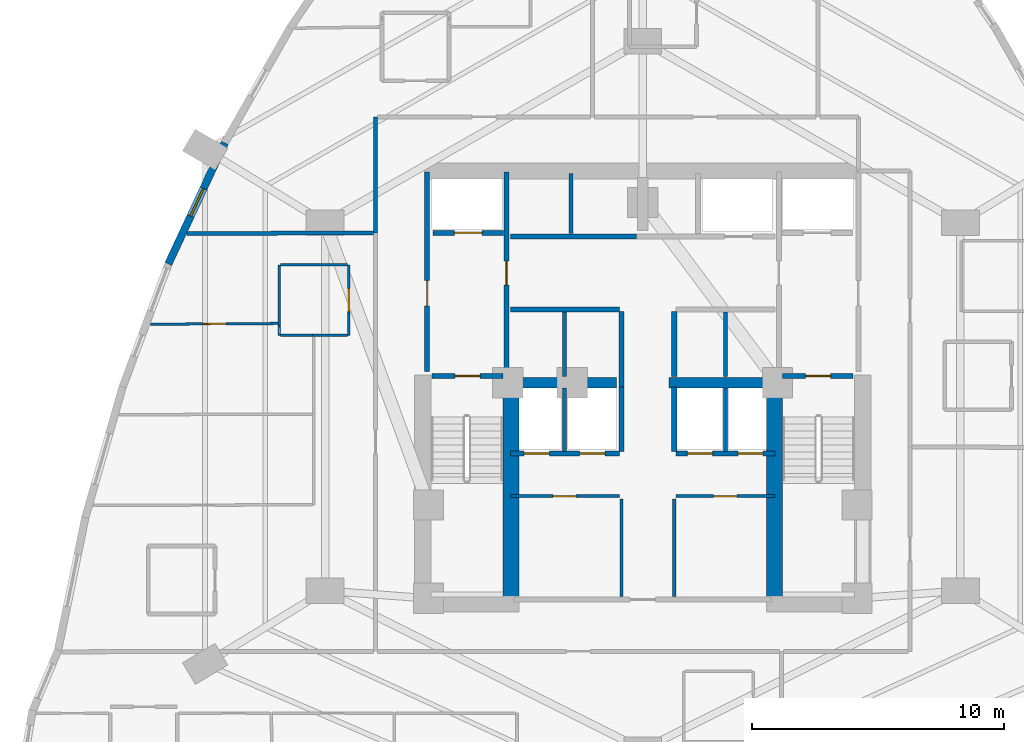
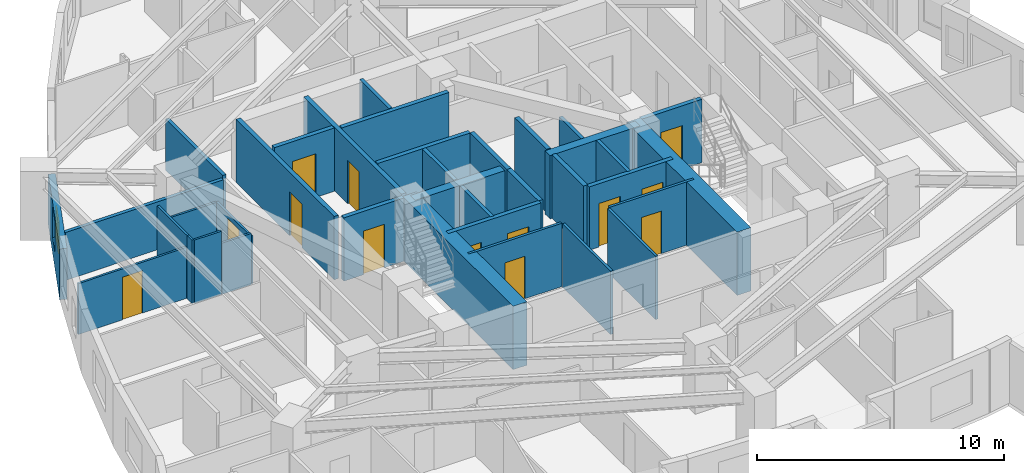
# One storey, part 7 of 12: 36 walls, 13 doors, 1 window, 14 openings.
"""IFC4 building model written with IfcOpenShell, lengths in metres."""

from ifc_helpers import new_model, si_unit, direction, frame, frame_2d, origin, place, context, subcontext, project, spatial, rectangle, extrude, material, layer, layer_set, type_object, element, fill, save


model = new_model("IFC4")

# Units and contexts
model_context = context("Model", 3, precision=1e-05, world=origin(), true_north=direction((0.0, 1.0)))
body_context = subcontext(model_context, "Body", "Model", "MODEL_VIEW")
ifc_project = project(units=[si_unit("LENGTHUNIT", "METRE"), si_unit("AREAUNIT", "SQUARE_METRE"), si_unit("VOLUMEUNIT", "CUBIC_METRE"), si_unit("PLANEANGLEUNIT", "RADIAN"), si_unit("MASSUNIT", "GRAM", prefix="KILO")], contexts=[model_context])

# Site, building, storey
site_placement = place(None, origin())
site = spatial("IfcSite", under=ifc_project, at=site_placement, CompositionType="ELEMENT")
building_placement = place(site_placement, origin())
building = spatial("IfcBuilding", under=site, at=building_placement, Name="Miruveldt Soraemaru", CompositionType="ELEMENT")
storey_placement = place(building_placement, frame((0.0, 0.0, 56.39990234375)))
storey = spatial("IfcBuildingStorey", under=building, at=storey_placement, Name="L15", CompositionType="ELEMENT", Elevation=56.39990234375)

# Walls
ifc_material_1 = material(Name="Concrete C70/85 (70 MPa)", Category="concrete")
ifc_layer_1 = layer(ifc_material_1, 0.5, Name="Concrete C70/85 (70 MPa)", Category="concrete")
ifc_layer_set_1 = layer_set([ifc_layer_1], Name="Concrete C70/85 (70 MPa)")
wall_type_1 = type_object("IfcWallType", Name="WALL-BW-500", PredefinedType="SHEAR", material=ifc_layer_set_1)
for number, where, z_axis, x_axis, name in (
    (1, (38.75, 44.050048828125, 0.0), (0.0, 0.0, 1.0), (1.0, 0.0, 0.0), "L15 Core Buttress Shear Wall BW"),
    (2, (45.050048828125, 44.050048828125, 0.0), (0.0, 0.0, 1.0), (1.0, 0.0, 0.0), "L15 Core Buttress Shear Wall BE"),
):
    element("IfcWall", number, at=place(storey_placement, frame(where, z_axis=z_axis, x_axis=x_axis)), inside=storey, type_object=wall_type_1, Name=name, PredefinedType="SHEAR", context=body_context, shape_type="SweptSolid", body=[
        extrude(rectangle(XDim=4.199951171875, YDim=0.39990234375, at=frame_2d((2.10009765625, 0.0))), origin(), (0.0, 0.0, 1.0), 3.125),
    ])
ifc_material_2 = material(Name="Concrete C80/95 (80 MPa)", Category="concrete")
ifc_layer_2 = layer(ifc_material_2, 0.64990234375, Name="Concrete C80/95 (80 MPa)", Category="concrete")
ifc_layer_set_2 = layer_set([ifc_layer_2], Name="Concrete C80/95 (80 MPa)")
wall_type_2 = type_object("IfcWallType", Name="WALL-CW-650", PredefinedType="SHEAR", material=ifc_layer_set_2)
for number, where, z_axis, x_axis, name in (
    (3, (38.77490234375, 35.39990234375, 0.0), (0.0, 0.0, 1.0), (0.0, 1.0, 0.0), "L15 Central Core Shear Wall SW-INT"),
    (4, (49.22509765625, 35.39990234375, 0.0), (0.0, 0.0, 1.0), (0.0, 1.0, 0.0), "L15 Central Core Shear Wall SE-INT"),
):
    element("IfcWall", number, at=place(storey_placement, frame(where, z_axis=z_axis, x_axis=x_axis)), inside=storey, type_object=wall_type_2, Name=name, PredefinedType="SHEAR", context=body_context, shape_type="SweptSolid", body=[
        extrude(rectangle(XDim=8.9501953125, YDim=0.64990234375, at=frame_2d((4.47509765625, 0.0))), origin(), (0.0, 0.0, 1.0), 3.125),
    ])

# Wall, opening, window
ifc_material_3 = material(Name="Precast concrete C45/55 (45 MPa)", Category="concrete")
ifc_layer_3 = layer(ifc_material_3, 0.300048828125, Name="Precast concrete C45/55 (45 MPa)", Category="concrete")
ifc_layer_set_3 = layer_set([ifc_layer_3], Name="Precast concrete C45/55 (45 MPa)")
wall_type_3 = type_object("IfcWallType", Name="WALL-EXT-PC300", PredefinedType="SOLIDWALL", material=ifc_layer_set_3)
wall_1_placement = place(storey_placement, frame((27.421630859375, 53.5712890625, 0.0), z_axis=(0.0, 0.0, 1.0), x_axis=(-0.422308159228, -0.906452325635, 0.0)))
wall_1 = element("IfcWall", 5, at=wall_1_placement, inside=storey, type_object=wall_type_3, Name="L15 Precast Concrete Facade Wall 11", PredefinedType="SOLIDWALL", context=body_context, shape_type="SweptSolid", body=[
    extrude(rectangle(XDim=5.302490234375, YDim=0.300048828125, at=frame_2d((2.6513671875, 0.0))), origin(), (0.0, 0.0, 1.0), 2.51318359375),
])
opening_1_placement = place(wall_1_placement, frame((2.001953125, 0.0, 0.780029296875)))
opening_1 = element("IfcOpeningElement", 6, at=opening_1_placement, cuts=wall_1, Name="Opening WN-4", PredefinedType="OPENING", context=body_context, shape_type="SweptSolid", body=[
    extrude(rectangle(XDim=1.199951171875, YDim=1.550048828125, at=frame_2d((0.60009765625, 0.77490234375))), frame((0.0, 0.16015625, 0.0), z_axis=(0.0, -1.0, 0.0), x_axis=(1.0, 0.0, 0.0)), (0.0, 0.0, 1.0), 0.320068359375),
])
ifc_material_4 = material(Name="Triple low-e insulated glazing", Category="glass")
window_type = type_object("IfcWindowType", Name="WIN-PUNCH-1200x1550", PartitioningType="SINGLE_PANEL", PredefinedType="WINDOW", material=ifc_material_4)
window_placement = place(opening_1_placement, origin())
window = element("IfcWindow", 7, at=window_placement, inside=storey, type_object=window_type, Name="L15 Punched Triple-Glazed Window 11.1", OverallHeight=1.550048828125, OverallWidth=1.199951171875, PartitioningType="SINGLE_PANEL", PredefinedType="WINDOW", context=body_context, shape_type="SweptSolid", body=[
    extrude(rectangle(XDim=1.199951171875, YDim=1.550048828125, at=frame_2d((0.60009765625, 0.77490234375))), frame((0.0, 0.030029296875, 0.0), z_axis=(0.0, -1.0, 0.0), x_axis=(1.0, 0.0, 0.0)), (0.0, 0.0, 1.0), 0.06005859375),
])
fill(opening_1, window)

# Wall, opening, door
ifc_material_5 = material(Name="Gypsum plasterboard lining", Category="gypsum")
ifc_layer_4 = layer(ifc_material_5, 0.10009765625, Name="Gypsum plasterboard lining", Category="gypsum")
ifc_layer_set_4 = layer_set([ifc_layer_4], Name="Gypsum plasterboard lining")
wall_type_4 = type_object("IfcWallType", Name="WALL-INT-P100", PredefinedType="PARTITIONING", material=ifc_layer_set_4)
wall_2_placement = place(storey_placement, frame((24.470947265625, 46.373046875, 0.0), z_axis=(0.0, 0.0, 1.0), x_axis=(0.999982418031, 0.005929892846, 0.0)))
wall_2 = element("IfcWall", 8, at=wall_2_placement, inside=storey, type_object=wall_type_4, Name="L15 Partition Wall 56", PredefinedType="PARTITIONING", context=body_context, shape_type="SweptSolid", body=[
    extrude(rectangle(XDim=5.06396484375, YDim=0.10009765625, at=frame_2d((2.531982421875, 0.0))), origin(), (0.0, 0.0, 1.0), 2.51318359375),
])
opening_2_placement = place(wall_2_placement, frame((2.072021484375, 0.0, 0.0)))
opening_2 = element("IfcOpeningElement", 9, at=opening_2_placement, cuts=wall_2, Name="Opening D3A", PredefinedType="OPENING", context=body_context, shape_type="SweptSolid", body=[
    extrude(rectangle(XDim=0.919921875, YDim=2.10009765625, at=frame_2d((0.4599609375, 1.050048828125))), frame((0.0, 0.06005859375, 0.0), z_axis=(0.0, -1.0, 0.0), x_axis=(1.0, 0.0, 0.0)), (0.0, 0.0, 1.0), 0.1201171875),
])
ifc_material_6 = material(Name="Anodised aluminium EN AW-6063 T6", Category="aluminium")
door_type_1 = type_object("IfcDoorType", Name="DOOR-INT-920", OperationType="NOTDEFINED", PredefinedType="DOOR", material=ifc_material_6)
door_1_placement = place(opening_2_placement, origin())
door_1 = element("IfcDoor", 10, at=door_1_placement, inside=storey, type_object=door_type_1, Name="L15 Unit 1504 BD2 Door", OperationType="SINGLE_SWING_LEFT", OverallHeight=2.10009765625, OverallWidth=0.919921875, PredefinedType="DOOR", context=body_context, shape_type="SweptSolid", body=[
    extrude(rectangle(XDim=0.919921875, YDim=2.10009765625, at=frame_2d((0.4599609375, 1.050048828125))), frame((0.0, 0.02490234375, 0.0), z_axis=(0.0, -1.0, 0.0), x_axis=(1.0, 0.0, 0.0)), (0.0, 0.0, 1.0), 0.050048828125),
])
fill(opening_2, door_1)

wall_3_placement = place(storey_placement, frame((32.3349609375, 45.929931640625, 0.0), z_axis=(0.0, 0.0, 1.0), x_axis=(0.0, 1.0, 0.0)))
wall_3 = element("IfcWall", 11, at=wall_3_placement, inside=storey, type_object=wall_type_4, Name="L15 Partition Wall 50", PredefinedType="PARTITIONING", context=body_context, shape_type="SweptSolid", body=[
    extrude(rectangle(XDim=2.800048828125, YDim=0.10009765625, at=frame_2d((1.39990234375, 0.0))), origin(), (0.0, 0.0, 1.0), 2.363037109375),
])
opening_3_placement = place(wall_3_placement, frame((0.93994140625, 0.0, 0.0)))
opening_3 = element("IfcOpeningElement", 12, at=opening_3_placement, cuts=wall_3, Name="Opening D3A", PredefinedType="OPENING", context=body_context, shape_type="SweptSolid", body=[
    extrude(rectangle(XDim=0.919921875, YDim=2.10009765625, at=frame_2d((0.4599609375, 1.050048828125))), frame((0.0, 0.06005859375, 0.0), z_axis=(0.0, -1.0, 0.0), x_axis=(1.0, 0.0, 0.0)), (0.0, 0.0, 1.0), 0.1201171875),
])
door_2_placement = place(opening_3_placement, origin())
door_2 = element("IfcDoor", 13, at=door_2_placement, inside=storey, type_object=door_type_1, Name="L15 Unit 1504 KIT Door", OperationType="SINGLE_SWING_LEFT", OverallHeight=2.10009765625, OverallWidth=0.919921875, PredefinedType="DOOR", context=body_context, shape_type="SweptSolid", body=[
    extrude(rectangle(XDim=0.919921875, YDim=2.10009765625, at=frame_2d((0.4599609375, 1.050048828125))), frame((0.0, 0.02490234375, 0.0), z_axis=(0.0, -1.0, 0.0), x_axis=(1.0, 0.0, 0.0)), (0.0, 0.0, 1.0), 0.050048828125),
])
fill(opening_3, door_2)

# Walls
wall_4_placement = place(storey_placement, frame((32.284912109375, 48.72998046875, 0.0), z_axis=(0.0, 0.0, 1.0), x_axis=(-1.0, 0.0, 0.0)))
element("IfcWall", 14, at=wall_4_placement, inside=storey, type_object=wall_type_4, Name="L15 Partition Wall 51", PredefinedType="PARTITIONING", context=body_context, shape_type="SweptSolid", body=[
    extrude(rectangle(XDim=2.64990234375, YDim=0.10009765625, at=frame_2d((1.324951171875, 0.0))), origin(), (0.0, 0.0, 1.0), 2.363037109375),
])
wall_5_placement = place(storey_placement, frame((29.5849609375, 48.72998046875, 0.0), z_axis=(0.0, 0.0, 1.0), x_axis=(0.0, -1.0, 0.0)))
element("IfcWall", 15, at=wall_5_placement, inside=storey, type_object=wall_type_4, Name="L15 Partition Wall 52", PredefinedType="PARTITIONING", context=body_context, shape_type="SweptSolid", body=[
    extrude(rectangle(XDim=2.4169921875, YDim=0.10009765625, at=frame_2d((1.20849609375, 0.0))), origin(), (0.0, 0.0, 1.0), 3.125),
])
wall_6_placement = place(storey_placement, frame((30.909912109375, 45.929931640625, 0.0), z_axis=(0.0, 0.0, 1.0), x_axis=(1.0, 0.0, 0.0)))
element("IfcWall", 16, at=wall_6_placement, inside=storey, type_object=wall_type_4, Name="L15 Partition Wall 53", PredefinedType="PARTITIONING", context=body_context, shape_type="SweptSolid", body=[
    extrude(rectangle(XDim=1.375, YDim=0.10009765625, at=frame_2d((0.6875, 0.0))), origin(), (0.0, 0.0, 1.0), 2.525146484375),
])
wall_7_placement = place(storey_placement, frame((29.635009765625, 45.929931640625, 0.0), z_axis=(0.0, 0.0, 1.0), x_axis=(1.0, 0.0, 0.0)))
element("IfcWall", 17, at=wall_7_placement, inside=storey, type_object=wall_type_4, Name="L15 Partition Wall 60", PredefinedType="PARTITIONING", context=body_context, shape_type="SweptSolid", body=[
    extrude(rectangle(XDim=1.264892578125, YDim=0.10009765625, at=frame_2d((0.63232421875, 0.0))), origin(), (0.0, 0.0, 1.0), 3.125),
])
wall_8_placement = place(storey_placement, frame((29.5849609375, 46.31298828125, 0.0), z_axis=(0.0, 0.0, 1.0), x_axis=(0.0, -1.0, 0.0)))
element("IfcWall", 18, at=wall_8_placement, inside=storey, type_object=wall_type_4, Name="L15 Partition Wall 59", PredefinedType="PARTITIONING", context=body_context, shape_type="SweptSolid", body=[
    extrude(rectangle(XDim=0.383056640625, YDim=0.10009765625, at=frame_2d((0.19140625, 0.0))), origin(), (0.0, 0.0, 1.0), 3.125),
])

# Wall, opening, door
ifc_layer_5 = layer(ifc_material_5, 0.1201171875, Name="Gypsum plasterboard lining", Category="gypsum")
ifc_layer_set_5 = layer_set([ifc_layer_5], Name="Gypsum plasterboard lining")
wall_type_5 = type_object("IfcWallType", Name="WALL-INT-P120", PredefinedType="PARTITIONING", material=ifc_layer_set_5)
wall_9_placement = place(storey_placement, frame((38.75, 39.550048828125, 0.0), z_axis=(0.0, 0.0, 1.0), x_axis=(1.0, 0.0, 0.0)))
wall_9 = element("IfcWall", 19, at=wall_9_placement, inside=storey, type_object=wall_type_5, Name="L15 Core Compartment Wall CSW-N", PredefinedType="PARTITIONING", context=body_context, shape_type="SweptSolid", body=[
    extrude(rectangle(XDim=4.330078125, YDim=0.1201171875, at=frame_2d((2.1650390625, 0.0))), origin(), (0.0, 0.0, 1.0), 3.125),
])
opening_4_placement = place(wall_9_placement, frame((1.68994140625, 0.0, 0.0)))
opening_4 = element("IfcOpeningElement", 20, at=opening_4_placement, cuts=wall_9, Name="Opening D3A", PredefinedType="OPENING", context=body_context, shape_type="SweptSolid", body=[
    extrude(rectangle(XDim=0.919921875, YDim=2.10009765625, at=frame_2d((0.4599609375, 1.050048828125))), frame((0.0, 0.070068359375, 0.0), z_axis=(0.0, -1.0, 0.0), x_axis=(1.0, 0.0, 0.0)), (0.0, 0.0, 1.0), 0.14013671875),
])
door_3_placement = place(opening_4_placement, origin())
door_3 = element("IfcDoor", 21, at=door_3_placement, inside=storey, type_object=door_type_1, Name="L15 Fire Door", OperationType="SINGLE_SWING_LEFT", OverallHeight=2.10009765625, OverallWidth=0.919921875, PredefinedType="DOOR", context=body_context, shape_type="SweptSolid", body=[
    extrude(rectangle(XDim=0.919921875, YDim=2.10009765625, at=frame_2d((0.4599609375, 1.050048828125))), frame((0.0, 0.02490234375, 0.0), z_axis=(0.0, -1.0, 0.0), x_axis=(1.0, 0.0, 0.0)), (0.0, 0.0, 1.0), 0.050048828125),
])
fill(opening_4, door_3)

wall_10_placement = place(storey_placement, frame((45.320068359375, 39.550048828125, 0.0), z_axis=(0.0, 0.0, 1.0), x_axis=(1.0, 0.0, 0.0)))
wall_10 = element("IfcWall", 22, at=wall_10_placement, inside=storey, type_object=wall_type_5, Name="L15 Core Compartment Wall CSE-N", PredefinedType="PARTITIONING", context=body_context, shape_type="SweptSolid", body=[
    extrude(rectangle(XDim=3.929931640625, YDim=0.1201171875, at=frame_2d((1.96484375, 0.0))), origin(), (0.0, 0.0, 1.0), 3.125),
])
opening_5_placement = place(wall_10_placement, frame((1.489990234375, 0.0, 0.0)))
opening_5 = element("IfcOpeningElement", 23, at=opening_5_placement, cuts=wall_10, Name="Opening D3A", PredefinedType="OPENING", context=body_context, shape_type="SweptSolid", body=[
    extrude(rectangle(XDim=0.919921875, YDim=2.10009765625, at=frame_2d((0.4599609375, 1.050048828125))), frame((0.0, 0.070068359375, 0.0), z_axis=(0.0, -1.0, 0.0), x_axis=(1.0, 0.0, 0.0)), (0.0, 0.0, 1.0), 0.14013671875),
])
door_4_placement = place(opening_5_placement, origin())
door_4 = element("IfcDoor", 24, at=door_4_placement, inside=storey, type_object=door_type_1, Name="L15 Fire Door", OperationType="SINGLE_SWING_LEFT", OverallHeight=2.10009765625, OverallWidth=0.919921875, PredefinedType="DOOR", context=body_context, shape_type="SweptSolid", body=[
    extrude(rectangle(XDim=0.919921875, YDim=2.10009765625, at=frame_2d((0.4599609375, 1.050048828125))), frame((0.0, 0.02490234375, 0.0), z_axis=(0.0, -1.0, 0.0), x_axis=(1.0, 0.0, 0.0)), (0.0, 0.0, 1.0), 0.050048828125),
])
fill(opening_5, door_4)

# Walls
for number, where, z_axis, x_axis, name in (
    (25, (43.14990234375, 35.580078125, 0.0), (0.0, 0.0, 1.0), (0.0, 1.0, 0.0), "L15 Core Compartment Wall SP-WS"),
    (26, (45.25, 35.580078125, 0.0), (0.0, 0.0, 1.0), (0.0, 1.0, 0.0), "L15 Core Compartment Wall SP-ES"),
):
    element("IfcWall", number, at=place(storey_placement, frame(where, z_axis=z_axis, x_axis=x_axis)), inside=storey, type_object=wall_type_5, Name=name, PredefinedType="PARTITIONING", context=body_context, shape_type="SweptSolid", body=[
        extrude(rectangle(XDim=3.869873046875, YDim=0.1201171875, at=frame_2d((1.93505859375, 0.0))), origin(), (0.0, 0.0, 1.0), 3.125),
    ])
ifc_material_7 = material(Name="Concrete C40/50 (40 MPa)", Category="concrete")
ifc_layer_6 = layer(ifc_material_7, 0.159912109375, Name="Concrete C40/50 (40 MPa)", Category="concrete")
ifc_layer_set_6 = layer_set([ifc_layer_6], Name="Concrete C40/50 (40 MPa)")
wall_type_6 = type_object("IfcWallType", Name="WALL-INT-RC160", PredefinedType="SOLIDWALL", material=ifc_layer_set_6)
wall_11_placement = place(storey_placement, frame((25.924072265625, 49.965087890625, 0.0), z_axis=(0.0, 0.0, 1.0), x_axis=(0.999988849499, 0.004722380551, 0.0)))
element("IfcWall", 27, at=wall_11_placement, inside=storey, type_object=wall_type_6, Name="L15 Partition Wall 24", PredefinedType="SOLIDWALL", context=body_context, shape_type="SweptSolid", body=[
    extrude(rectangle(XDim=7.392822265625, YDim=0.159912109375, at=frame_2d((3.6962890625, 0.0))), origin(), (0.0, 0.0, 1.0), 2.363037109375),
])
wall_12_placement = place(storey_placement, frame((33.39990234375, 54.60009765625, 0.0), z_axis=(0.0, 0.0, 1.0), x_axis=(0.0, -1.0, 0.0)))
element("IfcWall", 28, at=wall_12_placement, inside=storey, type_object=wall_type_6, Name="L15 Partition Wall 2", PredefinedType="SOLIDWALL", context=body_context, shape_type="SweptSolid", body=[
    extrude(rectangle(XDim=4.60009765625, YDim=0.159912109375, at=frame_2d((2.300048828125, 0.0))), origin(), (0.0, 0.0, 1.0), 2.525146484375),
])
wall_13_placement = place(storey_placement, frame((40.89990234375, 44.300048828125, 0.0), z_axis=(0.0, 0.0, 1.0), x_axis=(0.0, 1.0, 0.0)))
element("IfcWall", 29, at=wall_13_placement, inside=storey, type_object=wall_type_6, Name="L15 Core Compartment Wall PLM-DW", PredefinedType="SOLIDWALL", context=body_context, shape_type="SweptSolid", body=[
    extrude(rectangle(XDim=2.550048828125, YDim=0.159912109375, at=frame_2d((1.27490234375, 0.0))), origin(), (0.0, 0.0, 1.0), 3.125),
])
wall_14_placement = place(storey_placement, frame((47.280029296875, 44.300048828125, 0.0), z_axis=(0.0, 0.0, 1.0), x_axis=(0.0, 1.0, 0.0)))
element("IfcWall", 30, at=wall_14_placement, inside=storey, type_object=wall_type_6, Name="L15 Core Compartment Wall PLM-DE", PredefinedType="SOLIDWALL", context=body_context, shape_type="SweptSolid", body=[
    extrude(rectangle(XDim=2.550048828125, YDim=0.159912109375, at=frame_2d((1.27490234375, 0.0))), origin(), (0.0, 0.0, 1.0), 2.463134765625),
])
for number, where, z_axis, x_axis, name in (
    (31, (40.89990234375, 41.320068359375, 0.0), (0.0, 0.0, 1.0), (0.0, 1.0, 0.0), "L15 Core Compartment Wall PLL-DW"),
    (32, (47.280029296875, 41.320068359375, 0.0), (0.0, 0.0, 1.0), (0.0, 1.0, 0.0), "L15 Core Compartment Wall PLL-DE"),
):
    element("IfcWall", number, at=place(storey_placement, frame(where, z_axis=z_axis, x_axis=x_axis)), inside=storey, type_object=wall_type_6, Name=name, PredefinedType="SOLIDWALL", context=body_context, shape_type="SweptSolid", body=[
        extrude(rectangle(XDim=2.530029296875, YDim=0.159912109375, at=frame_2d((1.26513671875, 0.0))), origin(), (0.0, 0.0, 1.0), 3.125),
    ])
wall_15_placement = place(storey_placement, frame((41.14990234375, 49.97998046875, 0.0), z_axis=(0.0, 0.0, 1.0), x_axis=(0.0, 1.0, 0.0)))
element("IfcWall", 33, at=wall_15_placement, inside=storey, type_object=wall_type_6, Name="L15 Core Compartment Wall PLH-DIV1", PredefinedType="SOLIDWALL", context=body_context, shape_type="SweptSolid", body=[
    extrude(rectangle(XDim=2.3701171875, YDim=0.159912109375, at=frame_2d((1.18505859375, 0.0))), origin(), (0.0, 0.0, 1.0), 3.125),
])

# Wall, opening, door
ifc_layer_7 = layer(ifc_material_7, 0.199951171875, Name="Concrete C40/50 (40 MPa)", Category="concrete")
ifc_layer_set_7 = layer_set([ifc_layer_7], Name="Concrete C40/50 (40 MPa)")
wall_type_7 = type_object("IfcWallType", Name="WALL-INT-RC200", PredefinedType="SOLIDWALL", material=ifc_layer_set_7)
wall_16_placement = place(storey_placement, frame((35.449951171875, 44.5, 0.0), z_axis=(0.0, 0.0, 1.0), x_axis=(0.0, 1.0, 0.0)))
wall_16 = element("IfcWall", 34, at=wall_16_placement, inside=storey, type_object=wall_type_7, Name="L15 Core Compartment Wall FFW-OUT", PredefinedType="SOLIDWALL", context=body_context, shape_type="SweptSolid", body=[
    extrude(rectangle(XDim=7.919921875, YDim=0.199951171875, at=frame_2d((3.9599609375, 0.0))), origin(), (0.0, 0.0, 1.0), 3.125),
])
opening_6_placement = place(wall_16_placement, frame((2.60009765625, 0.0, 0.0)))
opening_6 = element("IfcOpeningElement", 35, at=opening_6_placement, cuts=wall_16, Name="Opening FD1", PredefinedType="OPENING", context=body_context, shape_type="SweptSolid", body=[
    extrude(rectangle(XDim=1.0, YDim=2.14990234375, at=frame_2d((0.5, 1.074951171875))), frame((0.0, 0.10986328125, 0.0), z_axis=(0.0, -1.0, 0.0), x_axis=(1.0, 0.0, 0.0)), (0.0, 0.0, 1.0), 0.219970703125),
])
door_type_2 = type_object("IfcDoorType", Name="DOOR-FD1-1000", OperationType="NOTDEFINED", PredefinedType="DOOR", material=ifc_material_6)
door_5_placement = place(opening_6_placement, origin())
door_5 = element("IfcDoor", 36, at=door_5_placement, inside=storey, type_object=door_type_2, Name="L15 West Firefighting Lobby Exit Door", OperationType="SINGLE_SWING_LEFT", OverallHeight=2.14990234375, OverallWidth=1.0, PredefinedType="DOOR", context=body_context, shape_type="SweptSolid", body=[
    extrude(rectangle(XDim=1.0, YDim=2.14990234375, at=frame_2d((0.5, 1.074951171875))), frame((0.0, 0.02490234375, 0.0), z_axis=(0.0, -1.0, 0.0), x_axis=(1.0, 0.0, 0.0)), (0.0, 0.0, 1.0), 0.050048828125),
])
fill(opening_6, door_5)

wall_17_placement = place(storey_placement, frame((38.60009765625, 44.5, 0.0), z_axis=(0.0, 0.0, 1.0), x_axis=(0.0, 1.0, 0.0)))
wall_17 = element("IfcWall", 37, at=wall_17_placement, inside=storey, type_object=wall_type_7, Name="L15 Core Compartment Wall FFW-IN", PredefinedType="SOLIDWALL", context=body_context, shape_type="SweptSolid", body=[
    extrude(rectangle(XDim=7.919921875, YDim=0.199951171875, at=frame_2d((3.9599609375, 0.0))), origin(), (0.0, 0.0, 1.0), 3.125),
])
opening_7_placement = place(wall_17_placement, frame((3.425048828125, 0.0, 0.0)))
opening_7 = element("IfcOpeningElement", 38, at=opening_7_placement, cuts=wall_17, Name="Opening FD2", PredefinedType="OPENING", context=body_context, shape_type="SweptSolid", body=[
    extrude(rectangle(XDim=0.949951171875, YDim=2.14990234375, at=frame_2d((0.47509765625, 1.074951171875))), frame((0.0, 0.10986328125, 0.0), z_axis=(0.0, -1.0, 0.0), x_axis=(1.0, 0.0, 0.0)), (0.0, 0.0, 1.0), 0.219970703125),
])
door_type_3 = type_object("IfcDoorType", Name="DOOR-FD2-950", OperationType="NOTDEFINED", PredefinedType="DOOR", material=ifc_material_6)
door_6_placement = place(opening_7_placement, frame((0.949951171875, 0.0, 0.0), z_axis=(0.0, 0.0, 1.0), x_axis=(-1.0, 0.0, 0.0)))
door_6 = element("IfcDoor", 39, at=door_6_placement, inside=storey, type_object=door_type_3, Name="L15 Lift Lobby to West Fire Lobby Door", OperationType="SINGLE_SWING_RIGHT", OverallHeight=2.14990234375, OverallWidth=0.949951171875, PredefinedType="DOOR", context=body_context, shape_type="SweptSolid", body=[
    extrude(rectangle(XDim=0.949951171875, YDim=2.14990234375, at=frame_2d((0.47509765625, 1.074951171875))), frame((0.0, 0.02490234375, 0.0), z_axis=(0.0, -1.0, 0.0), x_axis=(1.0, 0.0, 0.0)), (0.0, 0.0, 1.0), 0.050048828125),
])
fill(opening_7, door_6)

# Wall, openings, doors
wall_18_placement = place(storey_placement, frame((38.75, 41.25, 0.0), z_axis=(0.0, 0.0, 1.0), x_axis=(1.0, 0.0, 0.0)))
wall_18 = element("IfcWall", 40, at=wall_18_placement, inside=storey, type_object=wall_type_7, Name="L15 Core Compartment Wall LBW-S", PredefinedType="SOLIDWALL", context=body_context, shape_type="SweptSolid", body=[
    extrude(rectangle(XDim=4.330078125, YDim=0.199951171875, at=frame_2d((2.1650390625, 0.0))), origin(), (0.0, 0.0, 1.0), 3.125),
])
opening_8_placement = place(wall_18_placement, frame((0.550048828125, 0.0, 0.0)))
opening_8 = element("IfcOpeningElement", 41, at=opening_8_placement, cuts=wall_18, Name="Opening LD1B", PredefinedType="OPENING", context=body_context, shape_type="SweptSolid", body=[
    extrude(rectangle(XDim=1.0, YDim=2.14990234375, at=frame_2d((0.5, 1.074951171875))), frame((0.0, 0.10986328125, 0.0), z_axis=(0.0, -1.0, 0.0), x_axis=(1.0, 0.0, 0.0)), (0.0, 0.0, 1.0), 0.219970703125),
])
opening_9_placement = place(wall_18_placement, frame((2.75, 0.0, 0.0)))
opening_9 = element("IfcOpeningElement", 42, at=opening_9_placement, cuts=wall_18, Name="Opening LD1B", PredefinedType="OPENING", context=body_context, shape_type="SweptSolid", body=[
    extrude(rectangle(XDim=1.0, YDim=2.14990234375, at=frame_2d((0.5, 1.074951171875))), frame((0.0, 0.10986328125, 0.0), z_axis=(0.0, -1.0, 0.0), x_axis=(1.0, 0.0, 0.0)), (0.0, 0.0, 1.0), 0.219970703125),
])
door_type_4 = type_object("IfcDoorType", Name="DOOR-LD1-1000", OperationType="SLIDING_TO_LEFT", PredefinedType="DOOR", material=ifc_material_6)
door_7_placement = place(opening_8_placement, frame((1.0, 0.0, 0.0), z_axis=(0.0, 0.0, 1.0), x_axis=(-1.0, 0.0, 0.0)))
door_7 = element("IfcDoor", 43, at=door_7_placement, inside=storey, type_object=door_type_4, Name="L15 PL-L1 Landing Door", OperationType="SLIDING_TO_LEFT", OverallHeight=2.14990234375, OverallWidth=1.0, PredefinedType="DOOR", context=body_context, shape_type="SweptSolid", body=[
    extrude(rectangle(XDim=1.0, YDim=2.14990234375, at=frame_2d((0.5, 1.074951171875))), frame((0.0, 0.02490234375, 0.0), z_axis=(0.0, -1.0, 0.0), x_axis=(1.0, 0.0, 0.0)), (0.0, 0.0, 1.0), 0.050048828125),
])
fill(opening_8, door_7)
door_8_placement = place(opening_9_placement, frame((1.0, 0.0, 0.0), z_axis=(0.0, 0.0, 1.0), x_axis=(-1.0, 0.0, 0.0)))
door_8 = element("IfcDoor", 44, at=door_8_placement, inside=storey, type_object=door_type_4, Name="L15 PL-L2 Landing Door", OperationType="SLIDING_TO_LEFT", OverallHeight=2.14990234375, OverallWidth=1.0, PredefinedType="DOOR", context=body_context, shape_type="SweptSolid", body=[
    extrude(rectangle(XDim=1.0, YDim=2.14990234375, at=frame_2d((0.5, 1.074951171875))), frame((0.0, 0.02490234375, 0.0), z_axis=(0.0, -1.0, 0.0), x_axis=(1.0, 0.0, 0.0)), (0.0, 0.0, 1.0), 0.050048828125),
])
fill(opening_9, door_8)

wall_19_placement = place(storey_placement, frame((45.320068359375, 41.25, 0.0), z_axis=(0.0, 0.0, 1.0), x_axis=(1.0, 0.0, 0.0)))
wall_19 = element("IfcWall", 45, at=wall_19_placement, inside=storey, type_object=wall_type_7, Name="L15 Core Compartment Wall LBE-S", PredefinedType="SOLIDWALL", context=body_context, shape_type="SweptSolid", body=[
    extrude(rectangle(XDim=3.929931640625, YDim=0.199951171875, at=frame_2d((1.96484375, 0.0))), origin(), (0.0, 0.0, 1.0), 3.125),
])
opening_10_placement = place(wall_19_placement, frame((0.449951171875, 0.0, 0.0)))
opening_10 = element("IfcOpeningElement", 46, at=opening_10_placement, cuts=wall_19, Name="Opening LD1B", PredefinedType="OPENING", context=body_context, shape_type="SweptSolid", body=[
    extrude(rectangle(XDim=1.0, YDim=2.14990234375, at=frame_2d((0.5, 1.074951171875))), frame((0.0, 0.10986328125, 0.0), z_axis=(0.0, -1.0, 0.0), x_axis=(1.0, 0.0, 0.0)), (0.0, 0.0, 1.0), 0.219970703125),
])
opening_11_placement = place(wall_19_placement, frame((2.449951171875, 0.0, 0.0)))
opening_11 = element("IfcOpeningElement", 47, at=opening_11_placement, cuts=wall_19, Name="Opening LD1B", PredefinedType="OPENING", context=body_context, shape_type="SweptSolid", body=[
    extrude(rectangle(XDim=1.0, YDim=2.14990234375, at=frame_2d((0.5, 1.074951171875))), frame((0.0, 0.10986328125, 0.0), z_axis=(0.0, -1.0, 0.0), x_axis=(1.0, 0.0, 0.0)), (0.0, 0.0, 1.0), 0.219970703125),
])
door_9_placement = place(opening_10_placement, frame((1.0, 0.0, 0.0), z_axis=(0.0, 0.0, 1.0), x_axis=(-1.0, 0.0, 0.0)))
door_9 = element("IfcDoor", 48, at=door_9_placement, inside=storey, type_object=door_type_4, Name="L15 PL-L3 Landing Door", OperationType="SLIDING_TO_LEFT", OverallHeight=2.14990234375, OverallWidth=1.0, PredefinedType="DOOR", context=body_context, shape_type="SweptSolid", body=[
    extrude(rectangle(XDim=1.0, YDim=2.14990234375, at=frame_2d((0.5, 1.074951171875))), frame((0.0, 0.02490234375, 0.0), z_axis=(0.0, -1.0, 0.0), x_axis=(1.0, 0.0, 0.0)), (0.0, 0.0, 1.0), 0.050048828125),
])
fill(opening_10, door_9)
door_10_placement = place(opening_11_placement, frame((1.0, 0.0, 0.0), z_axis=(0.0, 0.0, 1.0), x_axis=(-1.0, 0.0, 0.0)))
door_10 = element("IfcDoor", 49, at=door_10_placement, inside=storey, type_object=door_type_4, Name="L15 PL-L4 Landing Door", OperationType="SLIDING_TO_LEFT", OverallHeight=2.14990234375, OverallWidth=1.0, PredefinedType="DOOR", context=body_context, shape_type="SweptSolid", body=[
    extrude(rectangle(XDim=1.0, YDim=2.14990234375, at=frame_2d((0.5, 1.074951171875))), frame((0.0, 0.02490234375, 0.0), z_axis=(0.0, -1.0, 0.0), x_axis=(1.0, 0.0, 0.0)), (0.0, 0.0, 1.0), 0.050048828125),
])
fill(opening_11, door_10)

# Wall, opening, door
wall_20_placement = place(storey_placement, frame((35.64990234375, 44.320068359375, 0.0), z_axis=(0.0, 0.0, 1.0), x_axis=(1.0, 0.0, 0.0)))
wall_20 = element("IfcWall", 50, at=wall_20_placement, inside=storey, type_object=wall_type_7, Name="L15 Core Compartment Wall ST1-N", PredefinedType="SOLIDWALL", context=body_context, shape_type="SweptSolid", body=[
    extrude(rectangle(XDim=2.800048828125, YDim=0.199951171875, at=frame_2d((1.39990234375, 0.0))), origin(), (0.0, 0.0, 1.0), 3.125),
])
opening_12_placement = place(wall_20_placement, frame((0.89990234375, 0.0, 0.0)))
opening_12 = element("IfcOpeningElement", 51, at=opening_12_placement, cuts=wall_20, Name="Opening FD1", PredefinedType="OPENING", context=body_context, shape_type="SweptSolid", body=[
    extrude(rectangle(XDim=1.0, YDim=2.14990234375, at=frame_2d((0.5, 1.074951171875))), frame((0.0, 0.10986328125, 0.0), z_axis=(0.0, -1.0, 0.0), x_axis=(1.0, 0.0, 0.0)), (0.0, 0.0, 1.0), 0.219970703125),
])
door_11_placement = place(opening_12_placement, frame((1.0, 0.0, 0.0), z_axis=(0.0, 0.0, 1.0), x_axis=(-1.0, 0.0, 0.0)))
door_11 = element("IfcDoor", 52, at=door_11_placement, inside=storey, type_object=door_type_2, Name="L15 Stair ST-1 Fire Door", OperationType="SINGLE_SWING_LEFT", OverallHeight=2.14990234375, OverallWidth=1.0, PredefinedType="DOOR", context=body_context, shape_type="SweptSolid", body=[
    extrude(rectangle(XDim=1.0, YDim=2.14990234375, at=frame_2d((0.5, 1.074951171875))), frame((0.0, 0.02490234375, 0.0), z_axis=(0.0, -1.0, 0.0), x_axis=(1.0, 0.0, 0.0)), (0.0, 0.0, 1.0), 0.050048828125),
])
fill(opening_12, door_11)

wall_21_placement = place(storey_placement, frame((49.550048828125, 44.320068359375, 0.0), z_axis=(0.0, 0.0, 1.0), x_axis=(1.0, 0.0, 0.0)))
wall_21 = element("IfcWall", 53, at=wall_21_placement, inside=storey, type_object=wall_type_7, Name="L15 Core Compartment Wall ST2-N", PredefinedType="SOLIDWALL", context=body_context, shape_type="SweptSolid", body=[
    extrude(rectangle(XDim=2.800048828125, YDim=0.199951171875, at=frame_2d((1.39990234375, 0.0))), origin(), (0.0, 0.0, 1.0), 3.125),
])
opening_13_placement = place(wall_21_placement, frame((0.89990234375, 0.0, 0.0)))
opening_13 = element("IfcOpeningElement", 54, at=opening_13_placement, cuts=wall_21, Name="Opening FD1", PredefinedType="OPENING", context=body_context, shape_type="SweptSolid", body=[
    extrude(rectangle(XDim=1.0, YDim=2.14990234375, at=frame_2d((0.5, 1.074951171875))), frame((0.0, 0.10986328125, 0.0), z_axis=(0.0, -1.0, 0.0), x_axis=(1.0, 0.0, 0.0)), (0.0, 0.0, 1.0), 0.219970703125),
])
door_12_placement = place(opening_13_placement, frame((1.0, 0.0, 0.0), z_axis=(0.0, 0.0, 1.0), x_axis=(-1.0, 0.0, 0.0)))
door_12 = element("IfcDoor", 55, at=door_12_placement, inside=storey, type_object=door_type_2, Name="L15 Stair ST-2 Fire Door", OperationType="SINGLE_SWING_RIGHT", OverallHeight=2.14990234375, OverallWidth=1.0, PredefinedType="DOOR", context=body_context, shape_type="SweptSolid", body=[
    extrude(rectangle(XDim=1.0, YDim=2.14990234375, at=frame_2d((0.5, 1.074951171875))), frame((0.0, 0.02490234375, 0.0), z_axis=(0.0, -1.0, 0.0), x_axis=(1.0, 0.0, 0.0)), (0.0, 0.0, 1.0), 0.050048828125),
])
fill(opening_13, door_12)

wall_22_placement = place(storey_placement, frame((35.679931640625, 50.0, 0.0), z_axis=(0.0, 0.0, 1.0), x_axis=(1.0, 0.0, 0.0)))
wall_22 = element("IfcWall", 56, at=wall_22_placement, inside=storey, type_object=wall_type_7, Name="L15 Core Compartment Wall FFL1-S", PredefinedType="SOLIDWALL", context=body_context, shape_type="SweptSolid", body=[
    extrude(rectangle(XDim=2.800048828125, YDim=0.199951171875, at=frame_2d((1.39990234375, 0.0))), origin(), (0.0, 0.0, 1.0), 3.125),
])
opening_14_placement = place(wall_22_placement, frame((0.85009765625, 0.0, 0.0)))
opening_14 = element("IfcOpeningElement", 57, at=opening_14_placement, cuts=wall_22, Name="Opening LD2", PredefinedType="OPENING", context=body_context, shape_type="SweptSolid", body=[
    extrude(rectangle(XDim=1.10009765625, YDim=2.14990234375, at=frame_2d((0.550048828125, 1.074951171875))), frame((0.0, 0.10986328125, 0.0), z_axis=(0.0, -1.0, 0.0), x_axis=(1.0, 0.0, 0.0)), (0.0, 0.0, 1.0), 0.219970703125),
])
door_type_5 = type_object("IfcDoorType", Name="DOOR-LD2-1100", OperationType="SLIDING_TO_LEFT", PredefinedType="DOOR", material=ifc_material_6)
door_13_placement = place(opening_14_placement, origin())
door_13 = element("IfcDoor", 58, at=door_13_placement, inside=storey, type_object=door_type_5, Name="L15 FFL-1 Landing Door", OperationType="SLIDING_TO_LEFT", OverallHeight=2.14990234375, OverallWidth=1.10009765625, PredefinedType="DOOR", context=body_context, shape_type="SweptSolid", body=[
    extrude(rectangle(XDim=1.10009765625, YDim=2.14990234375, at=frame_2d((0.550048828125, 1.074951171875))), frame((0.0, 0.02490234375, 0.0), z_axis=(0.0, -1.0, 0.0), x_axis=(1.0, 0.0, 0.0)), (0.0, 0.0, 1.0), 0.050048828125),
])
fill(opening_14, door_13)

# Walls
wall_23_placement = place(storey_placement, frame((38.75, 49.85009765625, 0.0), z_axis=(0.0, 0.0, 1.0), x_axis=(1.0, 0.0, 0.0)))
element("IfcWall", 59, at=wall_23_placement, inside=storey, type_object=wall_type_7, Name="L15 Core Compartment Wall ROWA-SW", PredefinedType="SOLIDWALL", context=body_context, shape_type="SweptSolid", body=[
    extrude(rectangle(XDim=5.0, YDim=0.199951171875, at=frame_2d((2.5, 0.0))), origin(), (0.0, 0.0, 1.0), 3.125),
])
wall_24_placement = place(storey_placement, frame((38.75, 46.949951171875, 0.0), z_axis=(0.0, 0.0, 1.0), x_axis=(1.0, 0.0, 0.0)))
element("IfcWall", 60, at=wall_24_placement, inside=storey, type_object=wall_type_7, Name="L15 Core Compartment Wall MBW-N", PredefinedType="SOLIDWALL", context=body_context, shape_type="SweptSolid", body=[
    extrude(rectangle(XDim=4.330078125, YDim=0.199951171875, at=frame_2d((2.1650390625, 0.0))), origin(), (0.0, 0.0, 1.0), 3.125),
])
wall_25_placement = place(storey_placement, frame((43.14990234375, 43.8798828125, 0.0), z_axis=(0.0, 0.0, 1.0), x_axis=(0.0, 1.0, 0.0)))
element("IfcWall", 61, at=wall_25_placement, inside=storey, type_object=wall_type_7, Name="L15 Core Compartment Wall SP-WB", PredefinedType="SOLIDWALL", context=body_context, shape_type="SweptSolid", body=[
    extrude(rectangle(XDim=3.0, YDim=0.199951171875, at=frame_2d((1.5, 0.0))), origin(), (0.0, 0.0, 1.0), 3.125),
])
wall_26_placement = place(storey_placement, frame((45.25, 44.300048828125, 0.0), z_axis=(0.0, 0.0, 1.0), x_axis=(0.0, 1.0, 0.0)))
element("IfcWall", 62, at=wall_26_placement, inside=storey, type_object=wall_type_7, Name="L15 Core Compartment Wall SP-EB", PredefinedType="SOLIDWALL", context=body_context, shape_type="SweptSolid", body=[
    extrude(rectangle(XDim=2.579833984375, YDim=0.199951171875, at=frame_2d((1.2900390625, 0.0))), origin(), (0.0, 0.0, 1.0), 3.125),
])
for number, where, z_axis, x_axis, name in (
    (63, (43.14990234375, 41.320068359375, 0.0), (0.0, 0.0, 1.0), (0.0, 1.0, 0.0), "L15 Core Compartment Wall SP-WC"),
    (64, (45.25, 41.320068359375, 0.0), (0.0, 0.0, 1.0), (0.0, 1.0, 0.0), "L15 Core Compartment Wall SP-EC"),
):
    element("IfcWall", number, at=place(storey_placement, frame(where, z_axis=z_axis, x_axis=x_axis)), inside=storey, type_object=wall_type_7, Name=name, PredefinedType="SOLIDWALL", context=body_context, shape_type="SweptSolid", body=[
        extrude(rectangle(XDim=2.559814453125, YDim=0.199951171875, at=frame_2d((1.27978515625, 0.0))), origin(), (0.0, 0.0, 1.0), 3.125),
    ])

save(model, "model.ifc")
